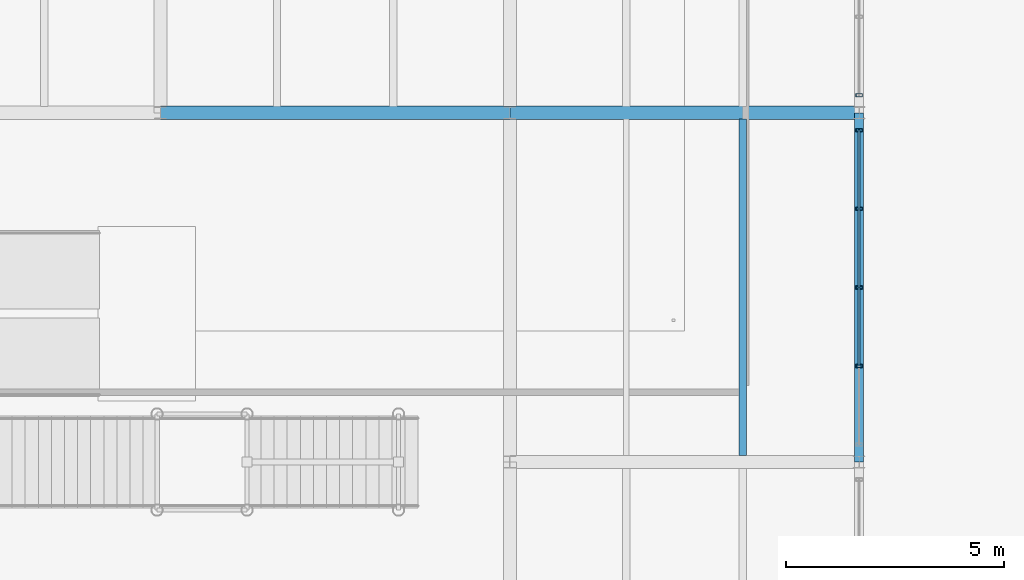
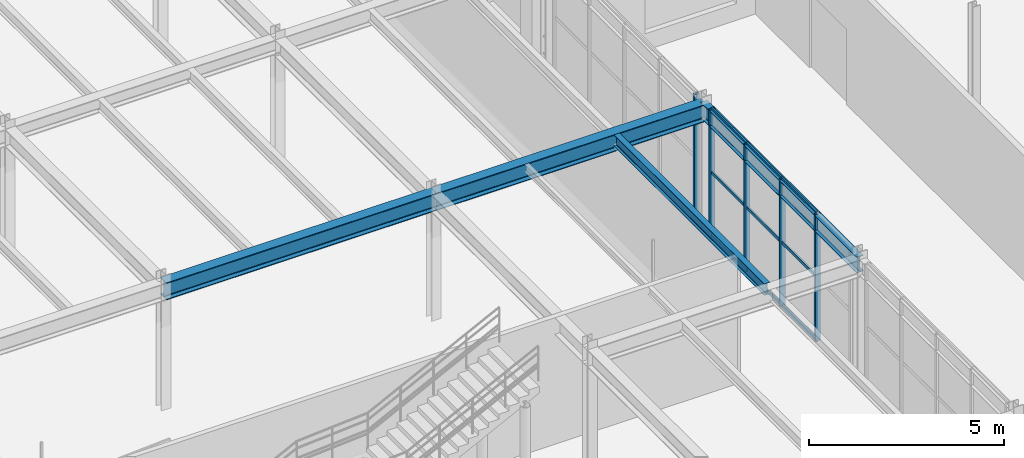
# One storey, part 55 of 122: 14 members, 4 beams, 2 elements without a shape of their own.
"""IFC4 building model written with IfcOpenShell, lengths in metres."""

import ifcopenshell
import ifcopenshell.guid

model = None  # the IFC model being written
_history = None  # IfcOwnerHistory: only IFC2X3 demands one
_inside = {}  # id of a spatial element -> (the spatial element, [elements in it])
_under = {}  # id of a project, library or spatial element -> (it, [spatial elements below it])
_declared = {}  # id of a project -> (the project, [libraries it declares])
_typed = {}  # id of a type object -> (the type object, [elements of that type])
_made_of = {}  # id of a material, layer set ... -> (it, [elements and type objects made of it])


def new_model(schema):
    """Start an empty IFC model of exactly this schema.

    Asked for "IFC4X3", IfcOpenShell would pick the latest addendum, in which some entities
    have other attributes; the version numbers below select the first issue.
    IFC2X3 requires an IfcOwnerHistory on every rooted entity: one is made here for all.
    """
    global model, _history
    if schema == "IFC4X3":
        model = ifcopenshell.file(schema_version=(4, 3, 0, 0))
    else:
        model = ifcopenshell.file(schema=schema)
    _inside.clear()
    _under.clear()
    _declared.clear()
    _typed.clear()
    _made_of.clear()
    _history = None
    if model.schema == "IFC2X3":
        org = make("IfcOrganization", Name="unknown")
        user = make(
            "IfcPersonAndOrganization",
            ThePerson=make("IfcPerson", FamilyName="unknown"),
            TheOrganization=org,
        )
        app = make(
            "IfcApplication",
            ApplicationDeveloper=org,
            Version="unknown",
            ApplicationFullName="unknown",
            ApplicationIdentifier="unknown",
        )
        _history = make(
            "IfcOwnerHistory",
            OwningUser=user,
            OwningApplication=app,
            ChangeAction="ADDED",
            CreationDate=0,
        )
    return model


def make(cls, **values):
    """One entity of the class cls with the attributes given. An attribute that is None is left unset."""
    return model.create_entity(
        cls, **{name: value for name, value in values.items() if value is not None}
    )


def rooted(cls, **values):
    """An entity with a GlobalId (a new one), such as an element, a storey or a relation."""
    return make(cls, GlobalId=ifcopenshell.guid.new(), OwnerHistory=_history, **values)


def si_unit(unit_type, name, prefix=None):
    """IfcSIUnit, for example si_unit("LENGTHUNIT", "METRE", prefix="MILLI")."""
    return make("IfcSIUnit", UnitType=unit_type, Prefix=prefix, Name=name)


def assignment(units):
    """IfcUnitAssignment: the units of a project."""
    return None if units is None else make("IfcUnitAssignment", Units=units)


def point(xyz):
    """IfcCartesianPoint."""
    return None if xyz is None else make("IfcCartesianPoint", Coordinates=xyz)


def direction(xyz):
    """IfcDirection."""
    return None if xyz is None else make("IfcDirection", DirectionRatios=xyz)


def frame(location, z_axis=None, x_axis=None):
    """IfcAxis2Placement3D, a coordinate frame: its origin and axes. An axis left out is left unset."""
    return make(
        "IfcAxis2Placement3D",
        Location=point(location),
        Axis=direction(z_axis),
        RefDirection=direction(x_axis),
    )


def frame_2d(location, x_axis=None):
    """IfcAxis2Placement2D, a coordinate frame in the plane: its origin and x axis."""
    return make(
        "IfcAxis2Placement2D", Location=point(location), RefDirection=direction(x_axis)
    )


def origin():
    """The frame at (0, 0, 0) with its axes left unset."""
    return frame((0.0, 0.0, 0.0))


def origin_2d():
    """The frame at (0, 0) in the plane with its x axis left unset."""
    return frame_2d((0.0, 0.0))


def place(relative_to, where):
    """IfcLocalPlacement: puts the frame where relative to a parent placement (None: the world)."""
    return make(
        "IfcLocalPlacement", PlacementRelTo=relative_to, RelativePlacement=where
    )


def context(
    kind, dimensions, precision=None, world=None, true_north=None, identifier=None
):
    """IfcGeometricRepresentationContext, for example the 3D "Model" context."""
    return make(
        "IfcGeometricRepresentationContext",
        ContextIdentifier=identifier,
        ContextType=kind,
        CoordinateSpaceDimension=dimensions,
        Precision=precision,
        WorldCoordinateSystem=world,
        TrueNorth=true_north,
    )


def subcontext(parent, identifier, kind, view, scale=None):
    """IfcGeometricRepresentationSubContext, for example "Body" below "Model"."""
    return make(
        "IfcGeometricRepresentationSubContext",
        ContextIdentifier=identifier,
        ContextType=kind,
        ParentContext=parent,
        TargetScale=scale,
        TargetView=view,
    )


def project(units=None, contexts=None):
    """IfcProject with its units and contexts."""
    return rooted(
        "IfcProject",
        Name="project",
        RepresentationContexts=contexts,
        UnitsInContext=assignment(units),
    )


def spatial(cls, under=None, at=None, **own):
    """A site, building, storey or space (cls), placed at a placement, below another one or the project."""
    s = rooted(cls, ObjectPlacement=at, **own)
    if under is not None:
        _under.setdefault(under.id(), (under, []))[1].append(s)
    return s


def profile(cls, at=None, kind="AREA", **sizes):
    """A parametric profile (cls). Its sizes go by their IFC names, for example OverallWidth=200.0."""
    return make(cls, ProfileType=kind, Position=at, **sizes)


def hollow_rectangle(**sizes):
    """IfcRectangleHollowProfileDef."""
    return profile("IfcRectangleHollowProfileDef", **sizes)


def i_section(**sizes):
    """IfcIShapeProfileDef."""
    return profile("IfcIShapeProfileDef", **sizes)


def extrude(swept, where, along, depth):
    """IfcExtrudedAreaSolid: the profile swept, set in the frame where, extruded along a direction by depth."""
    return make(
        "IfcExtrudedAreaSolid",
        SweptArea=swept,
        Position=where,
        ExtrudedDirection=direction(along),
        Depth=depth,
    )


def shape(context_of_items, identifier, shape_type, items):
    """IfcShapeRepresentation: the items that make up one representation, for example the "Body"."""
    return make(
        "IfcShapeRepresentation",
        ContextOfItems=context_of_items,
        RepresentationIdentifier=identifier,
        RepresentationType=shape_type,
        Items=items,
    )


def material(Name=None, Category=None):
    """IfcMaterial."""
    return make("IfcMaterial", Name=Name, Category=Category)


def material_profile(
    of_material, cross_section, Name=None, Category=None, Priority=None
):
    """IfcMaterialProfile: a cross section and its material."""
    return make(
        "IfcMaterialProfile",
        Name=Name,
        Material=of_material,
        Profile=cross_section,
        Priority=Priority,
        Category=Category,
    )


def profile_set(profiles, Name=None, composite=None):
    """IfcMaterialProfileSet."""
    return make(
        "IfcMaterialProfileSet",
        Name=Name,
        MaterialProfiles=profiles,
        CompositeProfile=composite,
    )


def made_of(thing, what):
    """Note that an element or type object is made of a material, layer set ...; save() writes the relation."""
    if what is not None:
        _made_of.setdefault(what.id(), (what, []))[1].append(thing)
    return thing


def type_object(cls, material=None, **own):
    """A type object (cls), such as IfcWallType, which elements share."""
    return made_of(rooted(cls, **own), material)


def element(
    cls,
    number,
    at=None,
    inside=None,
    cuts=None,
    type_object=None,
    material=None,
    context=None,
    identifier="Body",
    shape_type=None,
    held_by="IfcProductDefinitionShape",
    body=None,
    shapes=None,
    **own,
):
    """One element of the class cls, such as IfcWall. Its Tag is "e" and its number.

    at: its placement. inside: the storey or other place that contains it. cuts: it is an
    opening in that element (IfcRelVoidsElement). A single representation is given by context,
    identifier, shape_type and body (its items); several are given by shapes. held_by: the class
    of the entity that holds the representations. save() writes the other relations.
    """
    e = rooted(cls, Tag="e%d" % number, ObjectPlacement=at, **own)
    if body is not None:
        shapes = [shape(context, identifier, shape_type, body)]
    if shapes is not None:
        e.Representation = make(held_by, Representations=shapes)
    if inside is not None:
        _inside.setdefault(inside.id(), (inside, []))[1].append(e)
    if cuts is not None:
        rooted(
            "IfcRelVoidsElement", RelatingBuildingElement=cuts, RelatedOpeningElement=e
        )
    if type_object is not None:
        _typed.setdefault(type_object.id(), (type_object, []))[1].append(e)
    return made_of(e, material)


def aggregate(whole, parts):
    """IfcRelAggregates: a whole, such as a stair, and the parts it consists of."""
    return rooted("IfcRelAggregates", RelatingObject=whole, RelatedObjects=parts)


def save(model, path):
    """Write the relations noted so far, then the file.

    IfcRelAggregates (storeys below a building ...), IfcRelContainedInSpatialStructure (elements
    in a storey), IfcRelDefinesByType, IfcRelAssociatesMaterial and IfcRelDeclares: one each for
    every whole, place, type object, material and project.
    """
    for whole, parts in _under.values():
        aggregate(whole, parts)
    for where, things in _inside.values():
        rooted(
            "IfcRelContainedInSpatialStructure",
            RelatedElements=things,
            RelatingStructure=where,
        )
    for kind, things in _typed.values():
        rooted("IfcRelDefinesByType", RelatedObjects=things, RelatingType=kind)
    for what, things in _made_of.values():
        rooted("IfcRelAssociatesMaterial", RelatedObjects=things, RelatingMaterial=what)
    for by, libraries in _declared.values():
        rooted("IfcRelDeclares", RelatingContext=by, RelatedDefinitions=libraries)
    model.write(path)


model = new_model("IFC4")

# Units and contexts
model_context = context("Model", 3, precision=1e-05, world=origin(), true_north=direction((0.0, 1.0)))
body_context = subcontext(model_context, "Body", "Model", "MODEL_VIEW")
ifc_project = project(units=[si_unit("LENGTHUNIT", "METRE"), si_unit("AREAUNIT", "SQUARE_METRE"), si_unit("VOLUMEUNIT", "CUBIC_METRE"), si_unit("PLANEANGLEUNIT", "RADIAN"), si_unit("MASSUNIT", "GRAM", prefix="KILO")], contexts=[model_context])

# Site, building, storey
site_placement = place(None, origin())
site = spatial("IfcSite", under=ifc_project, at=site_placement, CompositionType="ELEMENT")
building_placement = place(site_placement, origin())
building = spatial("IfcBuilding", under=site, at=building_placement, Name="Sundkrona Museum", CompositionType="ELEMENT")
storey_placement = place(building_placement, frame((0.0, 0.0, 5.39990234375)))
storey = spatial("IfcBuildingStorey", under=building, at=storey_placement, Name="L01", CompositionType="ELEMENT", Elevation=5.39990234375)

# Beams
ifc_material_1 = material(Name="Steel S355J2", Category="steel")
ifc_material_profile_1 = material_profile(ifc_material_1, i_section(OverallWidth=0.300048828125, OverallDepth=0.5400390625, WebThickness=0.012451171875, FlangeThickness=0.02392578125, FilletRadius=0.027099609375, at=origin_2d()), Name="HEA 550")
ifc_profile_set_1 = profile_set([ifc_material_profile_1], Name="Steel S355J2")
beam_type_1 = type_object("IfcBeamType", Name="B-HEA550", PredefinedType="BEAM", material=ifc_profile_set_1)
for number, where, z_axis, x_axis, name in (
    (1, (64.0, 94.0, 3.690185546875), (1.0, 0.0, 0.0), (0.0, 1.0, 0.0), "L01 Girder X-0914"),
    (2, (72.0, 94.0, 3.690185546875), (1.0, 0.0, 0.0), (0.0, 1.0, 0.0), "L01 Girder X-0915"),
):
    element("IfcBeam", number, at=place(storey_placement, frame(where, z_axis=z_axis, x_axis=x_axis)), inside=storey, type_object=beam_type_1, Name=name, PredefinedType="BEAM", context=body_context, shape_type="SweptSolid", body=[
        extrude(i_section(OverallWidth=0.300048828125, OverallDepth=0.5400390625, WebThickness=0.012451171875, FlangeThickness=0.02392578125, FilletRadius=0.027099609375, at=origin_2d()), origin(), (0.0, 0.0, 1.0), 8.0),
    ])
ifc_material_profile_2 = material_profile(ifc_material_1, i_section(OverallWidth=0.169921875, OverallDepth=0.360107421875, WebThickness=0.008056640625, FlangeThickness=0.0126953125, FilletRadius=0.01806640625, at=origin_2d()), Name="IPE 360")
ifc_profile_set_2 = profile_set([ifc_material_profile_2], Name="Steel S355J2")
beam_type_2 = type_object("IfcBeamType", Name="J-IPE360", PredefinedType="JOIST", material=ifc_profile_set_2)
beam_1_placement = place(storey_placement, frame((77.333251953125, 86.14404296875, 3.780029296875), z_axis=(0.0, 1.0, 0.0), x_axis=(-1.0, 0.0, 0.0)))
element("IfcBeam", 3, at=beam_1_placement, inside=storey, type_object=beam_type_2, Name="L01 Composite Joist 0626", PredefinedType="JOIST", context=body_context, shape_type="SweptSolid", body=[
    extrude(i_section(OverallWidth=0.169921875, OverallDepth=0.360107421875, WebThickness=0.008056640625, FlangeThickness=0.0126953125, FilletRadius=0.01806640625, at=origin_2d()), origin(), (0.0, 0.0, 1.0), 7.7119140625),
])

# Curtain wall, members
ifc_material_2 = material(Name="Unitised Aluminium-Steel and Ceramic-Clad Curtain Walling", Category="steel")
curtain_wall_type = type_object("IfcCurtainWallType", Name="CW-PS-54x38", PredefinedType="NOTDEFINED", material=ifc_material_2)
curtain_wall_1_placement = place(storey_placement, origin())
curtain_wall_1 = element("IfcCurtainWall", 4, at=curtain_wall_1_placement, inside=storey, type_object=curtain_wall_type, Name="L01 Curtain Wall CW-L01-120", PredefinedType="NOTDEFINED")
ifc_material_3 = material(Name="Aluminium EN AW-6060 T66", Category="aluminium")
ifc_material_profile_3 = material_profile(ifc_material_3, hollow_rectangle(XDim=0.074951171875, YDim=0.14990234375, WallThickness=0.00634765625, at=origin_2d()), Name="RHS 150x75x6.3")
ifc_profile_set_3 = profile_set([ifc_material_profile_3], Name="Aluminium EN AW-6060 T66")
member_type_1 = type_object("IfcMemberType", Name="ML-150", PredefinedType="MULLION", material=ifc_profile_set_3)
member_1_placement = place(storey_placement, frame((80.0, 88.199951171875, -0.00390625), z_axis=(0.0, 0.0, 1.0), x_axis=(0.0, 1.0, 0.0)))
member_1 = element("IfcMember", 5, at=member_1_placement, type_object=member_type_1, Name="CW-L01-120 Mullion 02", PredefinedType="MULLION", context=body_context, shape_type="SweptSolid", body=[
    extrude(hollow_rectangle(XDim=0.074951171875, YDim=0.14990234375, WallThickness=0.00634765625, at=origin_2d()), origin(), (0.0, 0.0, 1.0), 3.968017578125),
])
member_2_placement = place(storey_placement, frame((80.0, 90.0, -0.00390625), z_axis=(0.0, 0.0, 1.0), x_axis=(0.0, 1.0, 0.0)))
member_2 = element("IfcMember", 6, at=member_2_placement, type_object=member_type_1, Name="CW-L01-120 Mullion 03", PredefinedType="MULLION", context=body_context, shape_type="SweptSolid", body=[
    extrude(hollow_rectangle(XDim=0.074951171875, YDim=0.14990234375, WallThickness=0.00634765625, at=origin_2d()), origin(), (0.0, 0.0, 1.0), 3.968017578125),
])
member_3_placement = place(storey_placement, frame((80.0, 91.800048828125, -0.00390625), z_axis=(0.0, 0.0, 1.0), x_axis=(0.0, 1.0, 0.0)))
member_3 = element("IfcMember", 7, at=member_3_placement, type_object=member_type_1, Name="CW-L01-120 Mullion 04", PredefinedType="MULLION", context=body_context, shape_type="SweptSolid", body=[
    extrude(hollow_rectangle(XDim=0.074951171875, YDim=0.14990234375, WallThickness=0.00634765625, at=origin_2d()), origin(), (0.0, 0.0, 1.0), 3.968017578125),
])
member_4_placement = place(storey_placement, frame((80.0, 93.60009765625, -0.00390625), z_axis=(0.0, 0.0, 1.0), x_axis=(0.0, 1.0, 0.0)))
member_4 = element("IfcMember", 8, at=member_4_placement, type_object=member_type_1, Name="CW-L01-120 Mullion 05", PredefinedType="MULLION", context=body_context, shape_type="SweptSolid", body=[
    extrude(hollow_rectangle(XDim=0.074951171875, YDim=0.14990234375, WallThickness=0.00634765625, at=origin_2d()), origin(), (0.0, 0.0, 1.0), 3.968017578125),
])

# Curtain wall, member
curtain_wall_2_placement = place(storey_placement, origin())
curtain_wall_2 = element("IfcCurtainWall", 9, at=curtain_wall_2_placement, inside=storey, type_object=curtain_wall_type, Name="L01 Curtain Wall CW-L01-122", PredefinedType="NOTDEFINED")
member_5_placement = place(storey_placement, frame((80.0, 94.39990234375, -0.00390625), z_axis=(0.0, 0.0, 1.0), x_axis=(0.0, 1.0, 0.0)))
member_5 = element("IfcMember", 10, at=member_5_placement, type_object=member_type_1, Name="CW-L01-122 Mullion 01", PredefinedType="MULLION", context=body_context, shape_type="SweptSolid", body=[
    extrude(hollow_rectangle(XDim=0.074951171875, YDim=0.14990234375, WallThickness=0.00634765625, at=origin_2d()), origin(), (0.0, 0.0, 1.0), 3.968017578125),
])
aggregate(curtain_wall_2, [member_5])

# Beam
ifc_material_profile_4 = material_profile(ifc_material_1, i_section(OverallWidth=0.199951171875, OverallDepth=0.5, WebThickness=0.01025390625, FlangeThickness=0.01611328125, FilletRadius=0.02099609375, at=origin_2d()), Name="IPE 500")
ifc_profile_set_4 = profile_set([ifc_material_profile_4], Name="Steel S355J2")
beam_type_3 = type_object("IfcBeamType", Name="SP-IPE500", PredefinedType="SPANDREL", material=ifc_profile_set_4)
beam_2_placement = place(storey_placement, frame((80.0, 86.0, 3.710205078125), z_axis=(0.0, 1.0, 0.0), x_axis=(-1.0, 0.0, 0.0)))
element("IfcBeam", 11, at=beam_2_placement, inside=storey, type_object=beam_type_3, Name="L01 Girder Y-1015", PredefinedType="SPANDREL", context=body_context, shape_type="SweptSolid", body=[
    extrude(i_section(OverallWidth=0.199951171875, OverallDepth=0.5, WebThickness=0.01025390625, FlangeThickness=0.01611328125, FilletRadius=0.02099609375, at=origin_2d()), origin(), (0.0, 0.0, 1.0), 8.0),
])

# Member
ifc_material_profile_5 = material_profile(ifc_material_3, hollow_rectangle(XDim=0.050048828125, YDim=0.10009765625, WallThickness=0.0048828125, at=origin_2d()), Name="RHS 100x50x5.0")
ifc_profile_set_5 = profile_set([ifc_material_profile_5], Name="Aluminium EN AW-6060 T66")
member_type_2 = type_object("IfcMemberType", Name="TR-100", PredefinedType="USERDEFINED", material=ifc_profile_set_5)
member_6_placement = place(storey_placement, frame((80.0, 88.199951171875, -0.00390625), z_axis=(0.0, 1.0, 0.0), x_axis=(-1.0, 0.0, 0.0)))
member_6 = element("IfcMember", 12, at=member_6_placement, type_object=member_type_2, Name="CW-L01-120 Transom 04", ObjectType="TRANSOM", PredefinedType="USERDEFINED", context=body_context, shape_type="SweptSolid", body=[
    extrude(hollow_rectangle(XDim=0.050048828125, YDim=0.10009765625, WallThickness=0.0048828125, at=origin_2d()), origin(), (0.0, 0.0, 1.0), 1.800048828125),
])

member_7_placement = place(storey_placement, frame((80.0, 88.199951171875, 1.97998046875), z_axis=(0.0, 1.0, 0.0), x_axis=(-1.0, 0.0, 0.0)))
member_7 = element("IfcMember", 13, at=member_7_placement, type_object=member_type_2, Name="CW-L01-120 Transom 05", ObjectType="TRANSOM", PredefinedType="USERDEFINED", context=body_context, shape_type="SweptSolid", body=[
    extrude(hollow_rectangle(XDim=0.050048828125, YDim=0.10009765625, WallThickness=0.0048828125, at=origin_2d()), origin(), (0.0, 0.0, 1.0), 1.800048828125),
])

member_8_placement = place(storey_placement, frame((80.0, 88.199951171875, 3.964111328125), z_axis=(0.0, 1.0, 0.0), x_axis=(-1.0, 0.0, 0.0)))
member_8 = element("IfcMember", 14, at=member_8_placement, type_object=member_type_2, Name="CW-L01-120 Transom 06", ObjectType="TRANSOM", PredefinedType="USERDEFINED", context=body_context, shape_type="SweptSolid", body=[
    extrude(hollow_rectangle(XDim=0.050048828125, YDim=0.10009765625, WallThickness=0.0048828125, at=origin_2d()), origin(), (0.0, 0.0, 1.0), 1.800048828125),
])

member_9_placement = place(storey_placement, frame((80.0, 90.0, -0.00390625), z_axis=(0.0, 1.0, 0.0), x_axis=(-1.0, 0.0, 0.0)))
member_9 = element("IfcMember", 15, at=member_9_placement, type_object=member_type_2, Name="CW-L01-120 Transom 07", ObjectType="TRANSOM", PredefinedType="USERDEFINED", context=body_context, shape_type="SweptSolid", body=[
    extrude(hollow_rectangle(XDim=0.050048828125, YDim=0.10009765625, WallThickness=0.0048828125, at=origin_2d()), origin(), (0.0, 0.0, 1.0), 1.800048828125),
])

member_10_placement = place(storey_placement, frame((80.0, 90.0, 1.97998046875), z_axis=(0.0, 1.0, 0.0), x_axis=(-1.0, 0.0, 0.0)))
member_10 = element("IfcMember", 16, at=member_10_placement, type_object=member_type_2, Name="CW-L01-120 Transom 08", ObjectType="TRANSOM", PredefinedType="USERDEFINED", context=body_context, shape_type="SweptSolid", body=[
    extrude(hollow_rectangle(XDim=0.050048828125, YDim=0.10009765625, WallThickness=0.0048828125, at=origin_2d()), origin(), (0.0, 0.0, 1.0), 1.800048828125),
])

member_11_placement = place(storey_placement, frame((80.0, 90.0, 3.964111328125), z_axis=(0.0, 1.0, 0.0), x_axis=(-1.0, 0.0, 0.0)))
member_11 = element("IfcMember", 17, at=member_11_placement, type_object=member_type_2, Name="CW-L01-120 Transom 09", ObjectType="TRANSOM", PredefinedType="USERDEFINED", context=body_context, shape_type="SweptSolid", body=[
    extrude(hollow_rectangle(XDim=0.050048828125, YDim=0.10009765625, WallThickness=0.0048828125, at=origin_2d()), origin(), (0.0, 0.0, 1.0), 1.800048828125),
])

member_12_placement = place(storey_placement, frame((80.0, 91.800048828125, -0.00390625), z_axis=(0.0, 1.0, 0.0), x_axis=(-1.0, 0.0, 0.0)))
member_12 = element("IfcMember", 18, at=member_12_placement, type_object=member_type_2, Name="CW-L01-120 Transom 10", ObjectType="TRANSOM", PredefinedType="USERDEFINED", context=body_context, shape_type="SweptSolid", body=[
    extrude(hollow_rectangle(XDim=0.050048828125, YDim=0.10009765625, WallThickness=0.0048828125, at=origin_2d()), origin(), (0.0, 0.0, 1.0), 1.800048828125),
])

member_13_placement = place(storey_placement, frame((80.0, 91.800048828125, 1.97998046875), z_axis=(0.0, 1.0, 0.0), x_axis=(-1.0, 0.0, 0.0)))
member_13 = element("IfcMember", 19, at=member_13_placement, type_object=member_type_2, Name="CW-L01-120 Transom 11", ObjectType="TRANSOM", PredefinedType="USERDEFINED", context=body_context, shape_type="SweptSolid", body=[
    extrude(hollow_rectangle(XDim=0.050048828125, YDim=0.10009765625, WallThickness=0.0048828125, at=origin_2d()), origin(), (0.0, 0.0, 1.0), 1.800048828125),
])

member_14_placement = place(storey_placement, frame((80.0, 91.800048828125, 3.964111328125), z_axis=(0.0, 1.0, 0.0), x_axis=(-1.0, 0.0, 0.0)))
member_14 = element("IfcMember", 20, at=member_14_placement, type_object=member_type_2, Name="CW-L01-120 Transom 12", ObjectType="TRANSOM", PredefinedType="USERDEFINED", context=body_context, shape_type="SweptSolid", body=[
    extrude(hollow_rectangle(XDim=0.050048828125, YDim=0.10009765625, WallThickness=0.0048828125, at=origin_2d()), origin(), (0.0, 0.0, 1.0), 1.800048828125),
])

aggregate(curtain_wall_1, [member_1, member_2, member_3, member_4, member_6, member_7, member_8, member_9, member_10, member_11, member_12, member_13, member_14])

save(model, "model.ifc")
